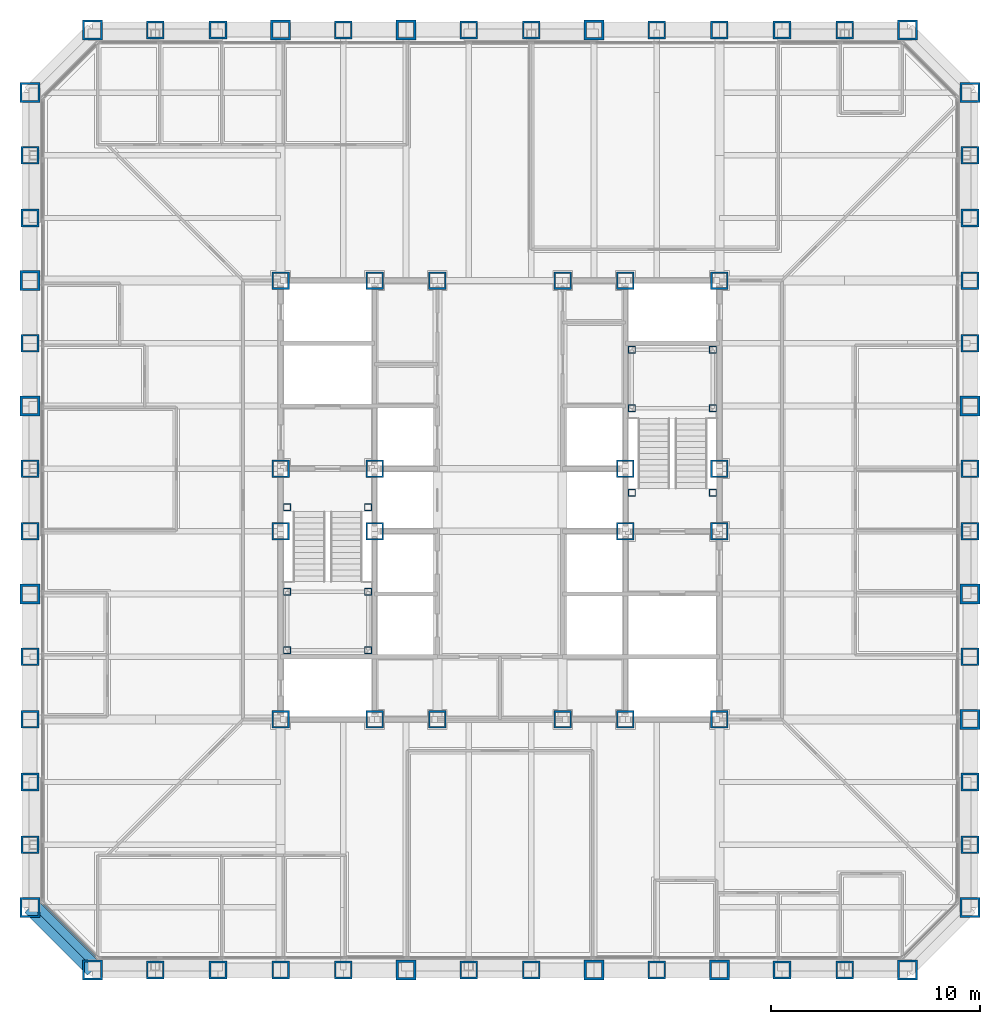
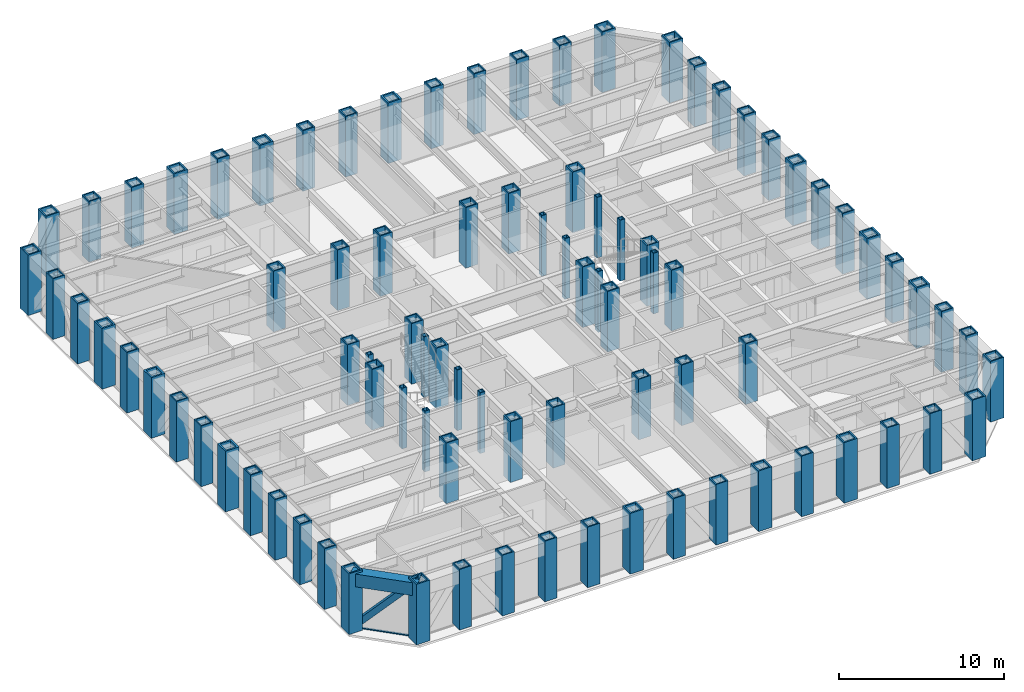
# One storey, part 1 of 17: 88 columns, 2 members, 1 beam, 1 element without a shape of its own.
"""IFC4 building model written with IfcOpenShell, lengths in metres."""

from ifc_helpers import new_model, si_unit, direction, frame, origin, origin_2d, place, context, subcontext, project, spatial, rectangle, hollow_rectangle, extrude, material, layer, layer_set, material_profile, profile_set, type_object, element, aggregate, save


model = new_model("IFC4")

# Units and contexts
model_context = context("Model", 3, precision=1e-05, world=origin(), true_north=direction((0.0, 1.0)))
body_context = subcontext(model_context, "Body", "Model", "MODEL_VIEW")
ifc_project = project(units=[si_unit("LENGTHUNIT", "METRE"), si_unit("AREAUNIT", "SQUARE_METRE"), si_unit("VOLUMEUNIT", "CUBIC_METRE"), si_unit("PLANEANGLEUNIT", "RADIAN"), si_unit("MASSUNIT", "GRAM", prefix="KILO")], contexts=[model_context])

# Site, building, storey
site_placement = place(None, origin())
site = spatial("IfcSite", under=ifc_project, at=site_placement, CompositionType="ELEMENT")
building_placement = place(site_placement, origin())
building = spatial("IfcBuilding", under=site, at=building_placement, Name="Chuquiago Exchange Tower", CompositionType="ELEMENT")
storey_placement = place(building_placement, frame((0.0, 0.0, 91.800048828125)))
storey = spatial("IfcBuildingStorey", under=building, at=storey_placement, Name="L19", CompositionType="ELEMENT", Elevation=91.800048828125)

# Columns
ifc_material_1 = material(Name="Steel ASTM A572 Grade 50", Category="steel")
ifc_material_profile_1 = material_profile(ifc_material_1, hollow_rectangle(XDim=0.85009765625, YDim=0.85009765625, WallThickness=0.0849609375, at=origin_2d()), Name="BOX850X850X85")
ifc_profile_set_1 = profile_set([ifc_material_profile_1], Name="Steel ASTM A572 Grade 50")
column_type_1 = type_object("IfcColumnType", Name="C6 BOX850X850X85", PredefinedType="COLUMN", material=ifc_profile_set_1)
for number, where, z_axis, x_axis, name in (
    (1, (6.0, 0.0, 0.0), (0.0, 0.0, 1.0), (0.0, -1.0, 0.0), "COL-L19-6_0"),
    (2, (9.0, 0.0, 0.0), (0.0, 0.0, 1.0), (0.0, -1.0, 0.0), "COL-L19-9_0"),
    (3, (12.0, 0.0, 0.0), (0.0, 0.0, 1.0), (0.0, -1.0, 0.0), "COL-L19-12_0"),
    (4, (15.0, 0.0, 0.0), (0.0, 0.0, 1.0), (0.0, -1.0, 0.0), "COL-L19-15_0"),
    (5, (21.0, 0.0, 0.0), (0.0, 0.0, 1.0), (0.0, -1.0, 0.0), "COL-L19-21_0"),
    (6, (24.0, 0.0, 0.0), (0.0, 0.0, 1.0), (0.0, -1.0, 0.0), "COL-L19-24_0"),
    (7, (30.0, 0.0, 0.0), (0.0, 0.0, 1.0), (0.0, -1.0, 0.0), "COL-L19-30_0"),
    (8, (36.0, 0.0, 0.0), (0.0, 0.0, 1.0), (0.0, -1.0, 0.0), "COL-L19-36_0"),
    (9, (39.0, 0.0, 0.0), (0.0, 0.0, 1.0), (0.0, -1.0, 0.0), "COL-L19-39_0"),
    (10, (45.0, 6.0, 0.0), (0.0, 0.0, 1.0), (1.0, 0.0, 0.0), "COL-L19-45_6"),
    (11, (45.0, 9.0, 0.0), (0.0, 0.0, 1.0), (1.0, 0.0, 0.0), "COL-L19-45_9"),
    (12, (45.0, 15.0, 0.0), (0.0, 0.0, 1.0), (1.0, 0.0, 0.0), "COL-L19-45_15"),
    (13, (45.0, 21.0, 0.0), (0.0, 0.0, 1.0), (1.0, 0.0, 0.0), "COL-L19-45_21"),
    (14, (45.0, 24.0, 0.0), (0.0, 0.0, 1.0), (1.0, 0.0, 0.0), "COL-L19-45_24"),
    (15, (45.0, 30.0, 0.0), (0.0, 0.0, 1.0), (1.0, 0.0, 0.0), "COL-L19-45_30"),
    (16, (45.0, 33.0, 0.0), (0.0, 0.0, 1.0), (1.0, 0.0, 0.0), "COL-L19-45_33"),
    (17, (45.0, 36.0, 0.0), (0.0, 0.0, 1.0), (1.0, 0.0, 0.0), "COL-L19-45_36"),
    (18, (45.0, 39.0, 0.0), (0.0, 0.0, 1.0), (1.0, 0.0, 0.0), "COL-L19-45_39"),
    (19, (39.0, 45.0, 0.0), (0.0, 0.0, 1.0), (0.0, 1.0, 0.0), "COL-L19-39_45"),
    (20, (36.0, 45.0, 0.0), (0.0, 0.0, 1.0), (0.0, 1.0, 0.0), "COL-L19-36_45"),
    (21, (33.0, 45.0, 0.0), (0.0, 0.0, 1.0), (0.0, 1.0, 0.0), "COL-L19-33_45"),
    (22, (30.0, 45.0, 0.0), (0.0, 0.0, 1.0), (0.0, 1.0, 0.0), "COL-L19-30_45"),
    (23, (24.0, 45.0, 0.0), (0.0, 0.0, 1.0), (0.0, 1.0, 0.0), "COL-L19-24_45"),
    (24, (21.0, 45.0, 0.0), (0.0, 0.0, 1.0), (0.0, 1.0, 0.0), "COL-L19-21_45"),
    (25, (15.0, 45.0, 0.0), (0.0, 0.0, 1.0), (0.0, 1.0, 0.0), "COL-L19-15_45"),
    (26, (9.0, 45.0, 0.0), (0.0, 0.0, 1.0), (0.0, 1.0, 0.0), "COL-L19-9_45"),
    (27, (6.0, 45.0, 0.0), (0.0, 0.0, 1.0), (0.0, 1.0, 0.0), "COL-L19-6_45"),
    (28, (0.0, 39.0, 0.0), (0.0, 0.0, 1.0), (-1.0, 0.0, 0.0), "COL-L19-0_39"),
    (29, (0.0, 36.0, 0.0), (0.0, 0.0, 1.0), (-1.0, 0.0, 0.0), "COL-L19-0_36"),
    (30, (0.0, 30.0, 0.0), (0.0, 0.0, 1.0), (-1.0, 0.0, 0.0), "COL-L19-0_30"),
    (31, (0.0, 24.0, 0.0), (0.0, 0.0, 1.0), (-1.0, 0.0, 0.0), "COL-L19-0_24"),
    (32, (0.0, 21.0, 0.0), (0.0, 0.0, 1.0), (-1.0, 0.0, 0.0), "COL-L19-0_21"),
    (33, (0.0, 15.0, 0.0), (0.0, 0.0, 1.0), (-1.0, 0.0, 0.0), "COL-L19-0_15"),
    (34, (0.0, 12.0, 0.0), (0.0, 0.0, 1.0), (-1.0, 0.0, 0.0), "COL-L19-0_12"),
    (35, (0.0, 9.0, 0.0), (0.0, 0.0, 1.0), (-1.0, 0.0, 0.0), "COL-L19-0_9"),
    (36, (0.0, 6.0, 0.0), (0.0, 0.0, 1.0), (-1.0, 0.0, 0.0), "COL-L19-0_6"),
):
    element("IfcColumn", number, at=place(storey_placement, frame(where, z_axis=z_axis, x_axis=x_axis)), inside=storey, type_object=column_type_1, Name=name, PredefinedType="COLUMN", context=body_context, shape_type="SweptSolid", body=[
        extrude(hollow_rectangle(XDim=0.85009765625, YDim=0.85009765625, WallThickness=0.0849609375, at=origin_2d()), origin(), (0.0, 0.0, 1.0), 4.5),
    ])
ifc_material_2 = material(Name="Steel ASTM A572 Grade 50", Category="steel")
ifc_material_profile_2 = material_profile(ifc_material_2, hollow_rectangle(XDim=0.85009765625, YDim=0.85009765625, WallThickness=0.0849609375, at=origin_2d()), Name="BOX850X850X85")
ifc_profile_set_2 = profile_set([ifc_material_profile_2], Name="Steel ASTM A572 Grade 50")
column_type_2 = type_object("IfcColumnType", Name="CC2 BOX850X850X85", PredefinedType="COLUMN", material=ifc_profile_set_2)
for number, where, z_axis, x_axis, name in (
    (37, (16.5, 12.0, 0.0), (0.0, 0.0, 1.0), (1.0, 0.0, 0.0), "CCOL-L19-16.5_12"),
    (38, (19.5, 12.0, 0.0), (0.0, 0.0, 1.0), (1.0, 0.0, 0.0), "CCOL-L19-19.5_12"),
    (39, (25.5, 12.0, 0.0), (0.0, 0.0, 1.0), (1.0, 0.0, 0.0), "CCOL-L19-25.5_12"),
    (40, (28.5, 12.0, 0.0), (0.0, 0.0, 1.0), (1.0, 0.0, 0.0), "CCOL-L19-28.5_12"),
    (41, (16.5, 33.0, 0.0), (0.0, 0.0, 1.0), (1.0, 0.0, 0.0), "CCOL-L19-16.5_33"),
    (42, (19.5, 33.0, 0.0), (0.0, 0.0, 1.0), (1.0, 0.0, 0.0), "CCOL-L19-19.5_33"),
    (43, (25.5, 33.0, 0.0), (0.0, 0.0, 1.0), (1.0, 0.0, 0.0), "CCOL-L19-25.5_33"),
    (44, (28.5, 33.0, 0.0), (0.0, 0.0, 1.0), (1.0, 0.0, 0.0), "CCOL-L19-28.5_33"),
    (45, (12.0, 21.0, 0.0), (0.0, 0.0, 1.0), (1.0, 0.0, 0.0), "CCOL-L19-12_21"),
    (46, (12.0, 24.0, 0.0), (0.0, 0.0, 1.0), (1.0, 0.0, 0.0), "CCOL-L19-12_24"),
    (47, (33.0, 21.0, 0.0), (0.0, 0.0, 1.0), (1.0, 0.0, 0.0), "CCOL-L19-33_21"),
    (48, (33.0, 24.0, 0.0), (0.0, 0.0, 1.0), (1.0, 0.0, 0.0), "CCOL-L19-33_24"),
    (49, (16.5, 21.0, 0.0), (0.0, 0.0, 1.0), (1.0, 0.0, 0.0), "CCOL-L19-16.5_21"),
    (50, (16.5, 24.0, 0.0), (0.0, 0.0, 1.0), (1.0, 0.0, 0.0), "CCOL-L19-16.5_24"),
    (51, (28.5, 21.0, 0.0), (0.0, 0.0, 1.0), (1.0, 0.0, 0.0), "CCOL-L19-28.5_21"),
    (52, (28.5, 24.0, 0.0), (0.0, 0.0, 1.0), (1.0, 0.0, 0.0), "CCOL-L19-28.5_24"),
):
    element("IfcColumn", number, at=place(storey_placement, frame(where, z_axis=z_axis, x_axis=x_axis)), inside=storey, type_object=column_type_2, Name=name, PredefinedType="COLUMN", context=body_context, shape_type="SweptSolid", body=[
        extrude(hollow_rectangle(XDim=0.85009765625, YDim=0.85009765625, WallThickness=0.0849609375, at=origin_2d()), origin(), (0.0, 0.0, 1.0), 4.5),
    ])
ifc_material_3 = material(Name="Steel ASTM A572 Grade 50", Category="steel")
ifc_material_profile_3 = material_profile(ifc_material_3, hollow_rectangle(XDim=0.85009765625, YDim=0.85009765625, WallThickness=0.0849609375, at=origin_2d()), Name="BOX850X850X85")
ifc_profile_set_3 = profile_set([ifc_material_profile_3], Name="Steel ASTM A572 Grade 50")
column_type_3 = type_object("IfcColumnType", Name="CC6 BOX850X850X85", PredefinedType="COLUMN", material=ifc_profile_set_3)
for number, where, z_axis, x_axis, name in (
    (53, (12.0, 12.0, 0.0), (0.0, 0.0, 1.0), (1.0, 0.0, 0.0), "CCOL-L19-12_12"),
    (54, (33.0, 12.0, 0.0), (0.0, 0.0, 1.0), (1.0, 0.0, 0.0), "CCOL-L19-33_12"),
    (55, (12.0, 33.0, 0.0), (0.0, 0.0, 1.0), (1.0, 0.0, 0.0), "CCOL-L19-12_33"),
    (56, (33.0, 33.0, 0.0), (0.0, 0.0, 1.0), (1.0, 0.0, 0.0), "CCOL-L19-33_33"),
):
    element("IfcColumn", number, at=place(storey_placement, frame(where, z_axis=z_axis, x_axis=x_axis)), inside=storey, type_object=column_type_3, Name=name, PredefinedType="COLUMN", context=body_context, shape_type="SweptSolid", body=[
        extrude(hollow_rectangle(XDim=0.85009765625, YDim=0.85009765625, WallThickness=0.0849609375, at=origin_2d()), origin(), (0.0, 0.0, 1.0), 4.5),
    ])
ifc_material_4 = material(Name="Steel ASTM A572 Grade 50", Category="steel")
ifc_material_profile_4 = material_profile(ifc_material_4, hollow_rectangle(XDim=0.949951171875, YDim=0.949951171875, WallThickness=0.094970703125, at=origin_2d()), Name="BOX950X950X95")
ifc_profile_set_4 = profile_set([ifc_material_profile_4], Name="Steel ASTM A572 Grade 50")
column_type_4 = type_object("IfcColumnType", Name="CN1 BOX950X950X95", PredefinedType="COLUMN", material=ifc_profile_set_4)
for number, where, z_axis, x_axis, name in (
    (57, (3.0, 0.0, 0.0), (0.0, 0.0, 1.0), (0.0, -1.0, 0.0), "COL-L19-3_0"),
    (58, (42.0, 0.0, 0.0), (0.0, 0.0, 1.0), (0.0, -1.0, 0.0), "COL-L19-42_0"),
    (59, (45.0, 3.0, 0.0), (0.0, 0.0, 1.0), (1.0, 0.0, 0.0), "COL-L19-45_3"),
    (60, (45.0, 42.0, 0.0), (0.0, 0.0, 1.0), (1.0, 0.0, 0.0), "COL-L19-45_42"),
    (61, (42.0, 45.0, 0.0), (0.0, 0.0, 1.0), (0.0, 1.0, 0.0), "COL-L19-42_45"),
    (62, (3.0, 45.0, 0.0), (0.0, 0.0, 1.0), (0.0, 1.0, 0.0), "COL-L19-3_45"),
    (63, (0.0, 42.0, 0.0), (0.0, 0.0, 1.0), (-1.0, 0.0, 0.0), "COL-L19-0_42"),
    (64, (0.0, 3.0, 0.0), (0.0, 0.0, 1.0), (-1.0, 0.0, 0.0), "COL-L19-0_3"),
):
    element("IfcColumn", number, at=place(storey_placement, frame(where, z_axis=z_axis, x_axis=x_axis)), inside=storey, type_object=column_type_4, Name=name, PredefinedType="COLUMN", context=body_context, shape_type="SweptSolid", body=[
        extrude(hollow_rectangle(XDim=0.949951171875, YDim=0.949951171875, WallThickness=0.094970703125, at=origin_2d()), origin(), (0.0, 0.0, 1.0), 4.5),
    ])
ifc_material_5 = material(Name="Steel ASTM A572 Grade 42", Category="steel")
ifc_material_profile_5 = material_profile(ifc_material_5, hollow_rectangle(XDim=0.949951171875, YDim=0.949951171875, WallThickness=0.110107421875, at=origin_2d()), Name="BOX950X950X110")
ifc_profile_set_5 = profile_set([ifc_material_profile_5], Name="Steel ASTM A572 Grade 42")
column_type_5 = type_object("IfcColumnType", Name="CT1 BOX950X950X110", PredefinedType="COLUMN", material=ifc_profile_set_5)
for number, where, z_axis, x_axis, name in (
    (65, (18.0, 0.0, 0.0), (0.0, 0.0, 1.0), (0.0, -1.0, 0.0), "COL-L19-18_0"),
    (66, (27.0, 0.0, 0.0), (0.0, 0.0, 1.0), (0.0, -1.0, 0.0), "COL-L19-27_0"),
    (67, (33.0, 0.0, 0.0), (0.0, 0.0, 1.0), (0.0, -1.0, 0.0), "COL-L19-33_0"),
    (68, (45.0, 12.0, 0.0), (0.0, 0.0, 1.0), (1.0, 0.0, 0.0), "COL-L19-45_12"),
    (69, (45.0, 18.0, 0.0), (0.0, 0.0, 1.0), (1.0, 0.0, 0.0), "COL-L19-45_18"),
    (70, (45.0, 27.0, 0.0), (0.0, 0.0, 1.0), (1.0, 0.0, 0.0), "COL-L19-45_27"),
    (71, (27.0, 45.0, 0.0), (0.0, 0.0, 1.0), (0.0, 1.0, 0.0), "COL-L19-27_45"),
    (72, (18.0, 45.0, 0.0), (0.0, 0.0, 1.0), (0.0, 1.0, 0.0), "COL-L19-18_45"),
    (73, (12.0, 45.0, 0.0), (0.0, 0.0, 1.0), (0.0, 1.0, 0.0), "COL-L19-12_45"),
    (74, (0.0, 33.0, 0.0), (0.0, 0.0, 1.0), (-1.0, 0.0, 0.0), "COL-L19-0_33"),
    (75, (0.0, 27.0, 0.0), (0.0, 0.0, 1.0), (-1.0, 0.0, 0.0), "COL-L19-0_27"),
    (76, (0.0, 18.0, 0.0), (0.0, 0.0, 1.0), (-1.0, 0.0, 0.0), "COL-L19-0_18"),
):
    element("IfcColumn", number, at=place(storey_placement, frame(where, z_axis=z_axis, x_axis=x_axis)), inside=storey, type_object=column_type_5, Name=name, PredefinedType="COLUMN", context=body_context, shape_type="SweptSolid", body=[
        extrude(hollow_rectangle(XDim=0.949951171875, YDim=0.949951171875, WallThickness=0.110107421875, at=origin_2d()), origin(), (0.0, 0.0, 1.0), 4.5),
    ])
ifc_material_6 = material(Name="Steel ASTM A572 Grade 50", Category="steel")
ifc_material_profile_6 = material_profile(ifc_material_6, hollow_rectangle(XDim=0.35009765625, YDim=0.35009765625, WallThickness=0.034912109375, at=origin_2d()), Name="BOX350X350X35")
ifc_profile_set_6 = profile_set([ifc_material_profile_6], Name="Steel ASTM A572 Grade 50")
column_type_6 = type_object("IfcColumnType", Name="PT3 BOX350X350X35", PredefinedType="COLUMN", material=ifc_profile_set_6)
for number, where, z_axis, x_axis, name in (
    (77, (12.31005859375, 15.31005859375, 0.0), (0.0, 0.0, 1.0), (1.0, 0.0, 0.0), "Stair ST1 L19 landing post"),
    (78, (16.18994140625, 15.31005859375, 0.0), (0.0, 0.0, 1.0), (1.0, 0.0, 0.0), "Stair ST1 L19 landing post"),
    (79, (12.31005859375, 18.110107421875, 0.0), (0.0, 0.0, 1.0), (1.0, 0.0, 0.0), "Stair ST1 L19 landing post"),
    (80, (16.18994140625, 18.110107421875, 0.0), (0.0, 0.0, 1.0), (1.0, 0.0, 0.0), "Stair ST1 L19 landing post"),
    (81, (12.31005859375, 22.14990234375, 0.0), (0.0, 0.0, 1.0), (1.0, 0.0, 0.0), "Stair ST1 L19 landing post"),
    (82, (16.18994140625, 22.14990234375, 0.0), (0.0, 0.0, 1.0), (1.0, 0.0, 0.0), "Stair ST1 L19 landing post"),
    (83, (28.81005859375, 29.68994140625, 0.0), (0.0, 0.0, 1.0), (1.0, 0.0, 0.0), "Stair ST2 L19 landing post"),
    (84, (32.68994140625, 29.68994140625, 0.0), (0.0, 0.0, 1.0), (1.0, 0.0, 0.0), "Stair ST2 L19 landing post"),
    (85, (28.81005859375, 26.889892578125, 0.0), (0.0, 0.0, 1.0), (1.0, 0.0, 0.0), "Stair ST2 L19 landing post"),
    (86, (32.68994140625, 26.889892578125, 0.0), (0.0, 0.0, 1.0), (1.0, 0.0, 0.0), "Stair ST2 L19 landing post"),
    (87, (28.81005859375, 22.85009765625, 0.0), (0.0, 0.0, 1.0), (1.0, 0.0, 0.0), "Stair ST2 L19 landing post"),
    (88, (32.68994140625, 22.85009765625, 0.0), (0.0, 0.0, 1.0), (1.0, 0.0, 0.0), "Stair ST2 L19 landing post"),
):
    element("IfcColumn", number, at=place(storey_placement, frame(where, z_axis=z_axis, x_axis=x_axis)), inside=storey, type_object=column_type_6, Name=name, PredefinedType="COLUMN", context=body_context, shape_type="SweptSolid", body=[
        extrude(hollow_rectangle(XDim=0.35009765625, YDim=0.35009765625, WallThickness=0.034912109375, at=origin_2d()), origin(), (0.0, 0.0, 1.0), 4.5),
    ])

# Curtain wall, member
ifc_material_7 = material(Name="Aluminium curtain wall system", Category="aluminium")
ifc_layer = layer(ifc_material_7, 0.199951171875)
ifc_layer_set = layer_set([ifc_layer], Name="CW3 facet curtain wall")
curtain_wall_type = type_object("IfcCurtainWallType", Name="CW3 facet curtain wall", PredefinedType="NOTDEFINED", material=ifc_layer_set)
curtain_wall_placement = place(storey_placement, origin())
curtain_wall = element("IfcCurtainWall", 89, at=curtain_wall_placement, inside=storey, type_object=curtain_wall_type, Name="CW3 curtain wall L19", PredefinedType="NOTDEFINED")
ifc_material_8 = material(Name="Aluminium transom, pale anodised", Category="aluminium")
ifc_material_profile_7 = material_profile(ifc_material_8, rectangle(XDim=0.139892578125, YDim=0.06494140625, at=origin_2d()), Name="AL 140x65")
ifc_profile_set_7 = profile_set([ifc_material_profile_7], Name="Aluminium transom, pale anodised")
member_type_1 = type_object("IfcMemberType", Name="CW3-T transom 65x140", PredefinedType="MULLION", material=ifc_profile_set_7)
member_1_placement = place(storey_placement, frame((0.64599609375, 3.20263671875, -0.267578125), z_axis=(0.707106781187, -0.707106781187, 0.0), x_axis=(0.707106781187, 0.707106781187, 0.0)))
member_1 = element("IfcMember", 90, at=member_1_placement, type_object=member_type_1, Name="CW3 transom 1.1", PredefinedType="MULLION", context=body_context, shape_type="SweptSolid", body=[
    extrude(rectangle(XDim=0.139892578125, YDim=0.06494140625, at=origin_2d()), origin(), (0.0, 0.0, 1.0), 3.61572265625),
])
aggregate(curtain_wall, [member_1])

# Member
ifc_material_9 = material(Name="Steel ASTM A500 Grade C", Category="steel")
ifc_material_profile_8 = material_profile(ifc_material_9, hollow_rectangle(XDim=0.406494140625, YDim=0.406494140625, WallThickness=0.0146484375, at=origin_2d()), Name="HSS16X16X5/8")
ifc_profile_set_8 = profile_set([ifc_material_profile_8], Name="Steel ASTM A500 Grade C")
member_type_2 = type_object("IfcMemberType", Name="LB4 HSS16X16X5/8", PredefinedType="BRACE", material=ifc_profile_set_8)
member_2_placement = place(storey_placement, frame((0.21337890625, 3.21337890625, 0.0), z_axis=(0.494305423695, -0.494305423695, 0.715069434538), x_axis=(0.707106781187, 0.707106781187, 0.0)))
element("IfcMember", 91, at=member_2_placement, inside=storey, type_object=member_type_2, Name="LB-L19-0_3-3_0", PredefinedType="BRACE", context=body_context, shape_type="SweptSolid", body=[
    extrude(hollow_rectangle(XDim=0.406494140625, YDim=0.406494140625, WallThickness=0.0146484375, at=origin_2d()), origin(), (0.0, 0.0, 1.0), 6.069091796875),
])

# Beam
ifc_material_10 = material(Name="Steel ASTM A572 Grade 50", Category="steel")
ifc_material_profile_9 = material_profile(ifc_material_10, hollow_rectangle(XDim=0.699951171875, YDim=0.949951171875, WallThickness=0.10009765625, at=origin_2d()), Name="BOX950X700X100")
ifc_profile_set_9 = profile_set([ifc_material_profile_9], Name="Steel ASTM A572 Grade 50")
beam_type = type_object("IfcBeamType", Name="SP5 BOX950X700X100", PredefinedType="SPANDREL", material=ifc_profile_set_9)
beam_placement = place(storey_placement, frame((0.0, 3.0, 3.864990234375), z_axis=(0.707106781187, -0.707106781187, 0.0), x_axis=(0.707106781187, 0.707106781187, 0.0)))
element("IfcBeam", 92, at=beam_placement, inside=storey, type_object=beam_type, Name="SPB-L20-0_3-3_0", PredefinedType="SPANDREL", context=body_context, shape_type="SweptSolid", body=[
    extrude(hollow_rectangle(XDim=0.699951171875, YDim=0.949951171875, WallThickness=0.10009765625, at=origin_2d()), origin(), (0.0, 0.0, 1.0), 4.24267578125),
])

save(model, "model.ifc")
